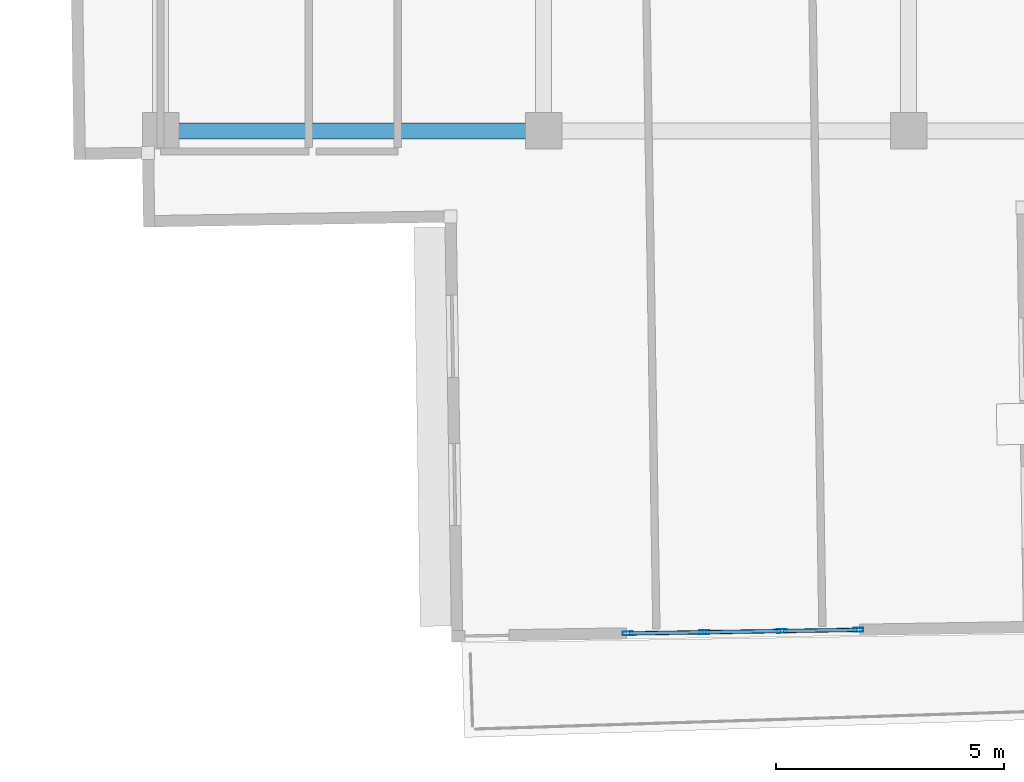
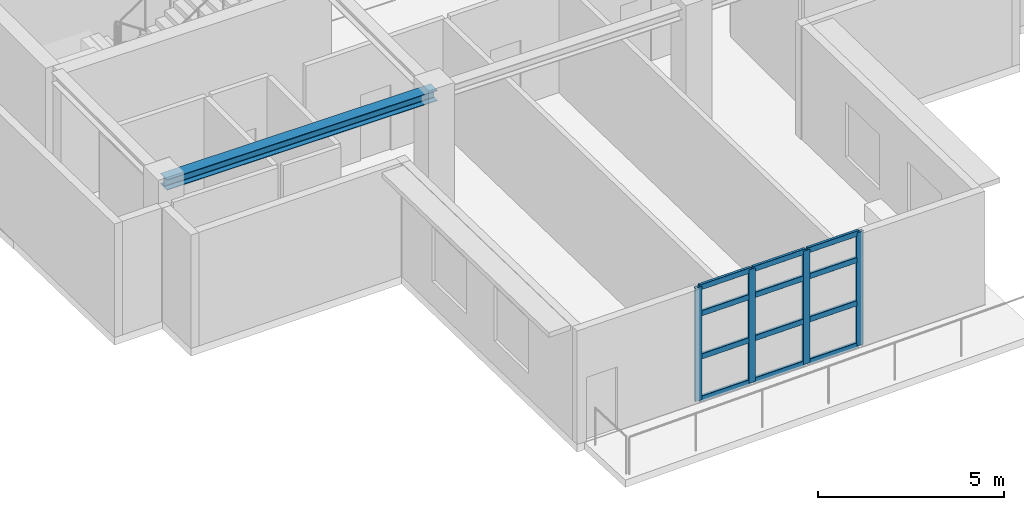
# One storey, part 2 of 18: 16 members, 1 beam, 1 element without a shape of its own.
"""IFC4 building model written with IfcOpenShell, lengths in metres."""

from ifc_helpers import new_model, si_unit, direction, frame, origin, origin_2d, place, context, subcontext, project, spatial, hollow_rectangle, i_section, extrude, material, layer, layer_set, material_profile, profile_set, type_object, element, aggregate, save


model = new_model("IFC4")

# Units and contexts
model_context = context("Model", 3, precision=1e-05, world=origin(), true_north=direction((0.0, 1.0)))
body_context = subcontext(model_context, "Body", "Model", "MODEL_VIEW")
ifc_project = project(units=[si_unit("LENGTHUNIT", "METRE"), si_unit("AREAUNIT", "SQUARE_METRE"), si_unit("VOLUMEUNIT", "CUBIC_METRE"), si_unit("PLANEANGLEUNIT", "RADIAN"), si_unit("MASSUNIT", "GRAM", prefix="KILO")], contexts=[model_context])

# Site, building, storey
site_placement = place(None, origin())
site = spatial("IfcSite", under=ifc_project, at=site_placement, CompositionType="ELEMENT")
building_placement = place(site_placement, origin())
building = spatial("IfcBuilding", under=site, at=building_placement, Name="Qingluan Cross Belvedere", CompositionType="ELEMENT")
storey_placement = place(building_placement, frame((0.0, 0.0, 303.89990234375)))
storey = spatial("IfcBuildingStorey", under=building, at=storey_placement, Name="L75", CompositionType="ELEMENT", Elevation=303.89990234375)

# Curtain wall, members
ifc_material_1 = material(Name="Thermally broken aluminium and Low-E glass", Category="aluminium")
ifc_layer = layer(ifc_material_1, 0.199951171875, Name="ObservationCW_SkyRestaurant")
ifc_layer_set = layer_set([ifc_layer], Name="Thermally broken aluminium and Low-E glass")
curtain_wall_type = type_object("IfcCurtainWallType", Name="ObservationCW_SkyRestaurant", PredefinedType="USERDEFINED", material=ifc_layer_set)
curtain_wall_placement = place(storey_placement, origin())
curtain_wall = element("IfcCurtainWall", 1, at=curtain_wall_placement, inside=storey, type_object=curtain_wall_type, Name="ObservationCW_SkyRestaurant run env:cw:L75:S", ObjectType="OBSERVATION GLAZING WALL", PredefinedType="USERDEFINED")
ifc_material_2 = material(Name="Aluminium alloy 6063-T6", Category="aluminium")
ifc_material_profile_1 = material_profile(ifc_material_2, hollow_rectangle(XDim=0.0849609375, YDim=0.219970703125, WallThickness=0.0048828125, InnerFilletRadius=0.0048828125, OuterFilletRadius=0.010009765625, at=origin_2d()), Name="CWM220x85x5")
ifc_profile_set_1 = profile_set([ifc_material_profile_1], Name="Aluminium alloy 6063-T6")
member_type_1 = type_object("IfcMemberType", Name="CWMullion_220", PredefinedType="MULLION", material=ifc_profile_set_1)
member_1_placement = place(storey_placement, frame((-2.1572265625, -23.61669921875, 0.0), z_axis=(0.0, 0.0, 1.0), x_axis=(-0.015695763417, 0.999876813918, 0.0)))
member_1 = element("IfcMember", 2, at=member_1_placement, type_object=member_type_1, Name="CW-C2 mullion 1", PredefinedType="MULLION", context=body_context, shape_type="SweptSolid", body=[
    extrude(hollow_rectangle(XDim=0.0849609375, YDim=0.219970703125, WallThickness=0.0048828125, InnerFilletRadius=0.0048828125, OuterFilletRadius=0.010009765625, at=origin_2d()), origin(), (0.0, 0.0, 1.0), 3.72998046875),
])
member_2_placement = place(storey_placement, frame((-0.482177734375, -23.59033203125, 0.0), z_axis=(0.0, 0.0, 1.0), x_axis=(-0.015695763417, 0.999876813918, 0.0)))
member_2 = element("IfcMember", 3, at=member_2_placement, type_object=member_type_1, Name="CW-C2 mullion 2", PredefinedType="MULLION", context=body_context, shape_type="SweptSolid", body=[
    extrude(hollow_rectangle(XDim=0.0849609375, YDim=0.219970703125, WallThickness=0.0048828125, InnerFilletRadius=0.0048828125, OuterFilletRadius=0.010009765625, at=origin_2d()), origin(), (0.0, 0.0, 1.0), 3.72998046875),
])
member_3_placement = place(storey_placement, frame((1.222900390625, -23.563720703125, 0.0), z_axis=(0.0, 0.0, 1.0), x_axis=(-0.015695763417, 0.999876813918, 0.0)))
member_3 = element("IfcMember", 4, at=member_3_placement, type_object=member_type_1, Name="CW-C2 mullion 3", PredefinedType="MULLION", context=body_context, shape_type="SweptSolid", body=[
    extrude(hollow_rectangle(XDim=0.0849609375, YDim=0.219970703125, WallThickness=0.0048828125, InnerFilletRadius=0.0048828125, OuterFilletRadius=0.010009765625, at=origin_2d()), origin(), (0.0, 0.0, 1.0), 3.72998046875),
])
member_4_placement = place(storey_placement, frame((2.898193359375, -23.537353515625, 0.0), z_axis=(0.0, 0.0, 1.0), x_axis=(-0.015695763417, 0.999876813918, 0.0)))
member_4 = element("IfcMember", 5, at=member_4_placement, type_object=member_type_1, Name="CW-C2 mullion 4", PredefinedType="MULLION", context=body_context, shape_type="SweptSolid", body=[
    extrude(hollow_rectangle(XDim=0.0849609375, YDim=0.219970703125, WallThickness=0.0048828125, InnerFilletRadius=0.0048828125, OuterFilletRadius=0.010009765625, at=origin_2d()), origin(), (0.0, 0.0, 1.0), 3.72998046875),
])
ifc_material_3 = material(Name="Aluminium alloy 6063-T6", Category="aluminium")
ifc_material_profile_2 = material_profile(ifc_material_3, hollow_rectangle(XDim=0.0849609375, YDim=0.179931640625, WallThickness=0.00390625, InnerFilletRadius=0.00390625, OuterFilletRadius=0.008056640625, at=origin_2d()), Name="CWT180x85x4")
ifc_profile_set_2 = profile_set([ifc_material_profile_2], Name="Aluminium alloy 6063-T6")
member_type_2 = type_object("IfcMemberType", Name="CWTransom_180", PredefinedType="USERDEFINED", material=ifc_profile_set_2)
member_5_placement = place(storey_placement, frame((-2.127197265625, -23.6162109375, 0.030029296875), z_axis=(0.999876434712, 0.015719901619, 0.0), x_axis=(-0.015719901619, 0.999876434712, 0.0)))
member_5 = element("IfcMember", 6, at=member_5_placement, type_object=member_type_2, Name="CW-C2 transom 1.1", ObjectType="TRANSOM", PredefinedType="USERDEFINED", context=body_context, shape_type="SweptSolid", body=[
    extrude(hollow_rectangle(XDim=0.0849609375, YDim=0.179931640625, WallThickness=0.00390625, InnerFilletRadius=0.00390625, OuterFilletRadius=0.008056640625, at=origin_2d()), origin(), (0.0, 0.0, 1.0), 1.615234375),
])
member_6_placement = place(storey_placement, frame((-2.127197265625, -23.6162109375, 1.4169921875), z_axis=(0.999876434712, 0.015719901619, 0.0), x_axis=(-0.015719901619, 0.999876434712, 0.0)))
member_6 = element("IfcMember", 7, at=member_6_placement, type_object=member_type_2, Name="CW-C2 transom 1.2", ObjectType="TRANSOM", PredefinedType="USERDEFINED", context=body_context, shape_type="SweptSolid", body=[
    extrude(hollow_rectangle(XDim=0.0849609375, YDim=0.179931640625, WallThickness=0.00390625, InnerFilletRadius=0.00390625, OuterFilletRadius=0.008056640625, at=origin_2d()), origin(), (0.0, 0.0, 1.0), 1.615234375),
])
member_7_placement = place(storey_placement, frame((-2.127197265625, -23.6162109375, 2.835205078125), z_axis=(0.999876434712, 0.015719901619, 0.0), x_axis=(-0.015719901619, 0.999876434712, 0.0)))
member_7 = element("IfcMember", 8, at=member_7_placement, type_object=member_type_2, Name="CW-C2 transom 1.3", ObjectType="TRANSOM", PredefinedType="USERDEFINED", context=body_context, shape_type="SweptSolid", body=[
    extrude(hollow_rectangle(XDim=0.0849609375, YDim=0.179931640625, WallThickness=0.00390625, InnerFilletRadius=0.00390625, OuterFilletRadius=0.008056640625, at=origin_2d()), origin(), (0.0, 0.0, 1.0), 1.615234375),
])
member_8_placement = place(storey_placement, frame((-2.127197265625, -23.6162109375, 3.7001953125), z_axis=(0.999876434712, 0.015719901619, 0.0), x_axis=(-0.015719901619, 0.999876434712, 0.0)))
member_8 = element("IfcMember", 9, at=member_8_placement, type_object=member_type_2, Name="CW-C2 transom 1.4", ObjectType="TRANSOM", PredefinedType="USERDEFINED", context=body_context, shape_type="SweptSolid", body=[
    extrude(hollow_rectangle(XDim=0.0849609375, YDim=0.179931640625, WallThickness=0.00390625, InnerFilletRadius=0.00390625, OuterFilletRadius=0.008056640625, at=origin_2d()), origin(), (0.0, 0.0, 1.0), 1.615234375),
])
member_9_placement = place(storey_placement, frame((-0.4521484375, -23.58984375, 0.030029296875), z_axis=(0.999878603127, 0.015581367368, 0.0), x_axis=(-0.015581367368, 0.999878603127, 0.0)))
member_9 = element("IfcMember", 10, at=member_9_placement, type_object=member_type_2, Name="CW-C2 transom 2.1", ObjectType="TRANSOM", PredefinedType="USERDEFINED", context=body_context, shape_type="SweptSolid", body=[
    extrude(hollow_rectangle(XDim=0.0849609375, YDim=0.179931640625, WallThickness=0.00390625, InnerFilletRadius=0.00390625, OuterFilletRadius=0.008056640625, at=origin_2d()), origin(), (0.0, 0.0, 1.0), 1.645263671875),
])
member_10_placement = place(storey_placement, frame((-0.4521484375, -23.58984375, 1.4169921875), z_axis=(0.999878603127, 0.015581367368, 0.0), x_axis=(-0.015581367368, 0.999878603127, 0.0)))
member_10 = element("IfcMember", 11, at=member_10_placement, type_object=member_type_2, Name="CW-C2 transom 2.2", ObjectType="TRANSOM", PredefinedType="USERDEFINED", context=body_context, shape_type="SweptSolid", body=[
    extrude(hollow_rectangle(XDim=0.0849609375, YDim=0.179931640625, WallThickness=0.00390625, InnerFilletRadius=0.00390625, OuterFilletRadius=0.008056640625, at=origin_2d()), origin(), (0.0, 0.0, 1.0), 1.645263671875),
])
member_11_placement = place(storey_placement, frame((-0.4521484375, -23.58984375, 2.835205078125), z_axis=(0.999878603127, 0.015581367368, 0.0), x_axis=(-0.015581367368, 0.999878603127, 0.0)))
member_11 = element("IfcMember", 12, at=member_11_placement, type_object=member_type_2, Name="CW-C2 transom 2.3", ObjectType="TRANSOM", PredefinedType="USERDEFINED", context=body_context, shape_type="SweptSolid", body=[
    extrude(hollow_rectangle(XDim=0.0849609375, YDim=0.179931640625, WallThickness=0.00390625, InnerFilletRadius=0.00390625, OuterFilletRadius=0.008056640625, at=origin_2d()), origin(), (0.0, 0.0, 1.0), 1.645263671875),
])
member_12_placement = place(storey_placement, frame((-0.4521484375, -23.58984375, 3.7001953125), z_axis=(0.999878603127, 0.015581367368, 0.0), x_axis=(-0.015581367368, 0.999878603127, 0.0)))
member_12 = element("IfcMember", 13, at=member_12_placement, type_object=member_type_2, Name="CW-C2 transom 2.4", ObjectType="TRANSOM", PredefinedType="USERDEFINED", context=body_context, shape_type="SweptSolid", body=[
    extrude(hollow_rectangle(XDim=0.0849609375, YDim=0.179931640625, WallThickness=0.00390625, InnerFilletRadius=0.00390625, OuterFilletRadius=0.008056640625, at=origin_2d()), origin(), (0.0, 0.0, 1.0), 1.645263671875),
])
member_13_placement = place(storey_placement, frame((1.2529296875, -23.563232421875, 0.030029296875), z_axis=(0.999876472056, 0.015717526163, 0.0), x_axis=(-0.015717526163, 0.999876472056, 0.0)))
member_13 = element("IfcMember", 14, at=member_13_placement, type_object=member_type_2, Name="CW-C2 transom 3.1", ObjectType="TRANSOM", PredefinedType="USERDEFINED", context=body_context, shape_type="SweptSolid", body=[
    extrude(hollow_rectangle(XDim=0.0849609375, YDim=0.179931640625, WallThickness=0.00390625, InnerFilletRadius=0.00390625, OuterFilletRadius=0.008056640625, at=origin_2d()), origin(), (0.0, 0.0, 1.0), 1.615478515625),
])
member_14_placement = place(storey_placement, frame((1.2529296875, -23.563232421875, 1.4169921875), z_axis=(0.999876472056, 0.015717526163, 0.0), x_axis=(-0.015717526163, 0.999876472056, 0.0)))
member_14 = element("IfcMember", 15, at=member_14_placement, type_object=member_type_2, Name="CW-C2 transom 3.2", ObjectType="TRANSOM", PredefinedType="USERDEFINED", context=body_context, shape_type="SweptSolid", body=[
    extrude(hollow_rectangle(XDim=0.0849609375, YDim=0.179931640625, WallThickness=0.00390625, InnerFilletRadius=0.00390625, OuterFilletRadius=0.008056640625, at=origin_2d()), origin(), (0.0, 0.0, 1.0), 1.615478515625),
])
member_15_placement = place(storey_placement, frame((1.2529296875, -23.563232421875, 2.835205078125), z_axis=(0.999876472056, 0.015717526163, 0.0), x_axis=(-0.015717526163, 0.999876472056, 0.0)))
member_15 = element("IfcMember", 16, at=member_15_placement, type_object=member_type_2, Name="CW-C2 transom 3.3", ObjectType="TRANSOM", PredefinedType="USERDEFINED", context=body_context, shape_type="SweptSolid", body=[
    extrude(hollow_rectangle(XDim=0.0849609375, YDim=0.179931640625, WallThickness=0.00390625, InnerFilletRadius=0.00390625, OuterFilletRadius=0.008056640625, at=origin_2d()), origin(), (0.0, 0.0, 1.0), 1.615478515625),
])
member_16_placement = place(storey_placement, frame((1.2529296875, -23.563232421875, 3.7001953125), z_axis=(0.999876472056, 0.015717526163, 0.0), x_axis=(-0.015717526163, 0.999876472056, 0.0)))
member_16 = element("IfcMember", 17, at=member_16_placement, type_object=member_type_2, Name="CW-C2 transom 3.4", ObjectType="TRANSOM", PredefinedType="USERDEFINED", context=body_context, shape_type="SweptSolid", body=[
    extrude(hollow_rectangle(XDim=0.0849609375, YDim=0.179931640625, WallThickness=0.00390625, InnerFilletRadius=0.00390625, OuterFilletRadius=0.008056640625, at=origin_2d()), origin(), (0.0, 0.0, 1.0), 1.615478515625),
])
aggregate(curtain_wall, [member_1, member_2, member_3, member_4, member_5, member_6, member_7, member_8, member_9, member_10, member_11, member_12, member_13, member_14, member_15, member_16])

# Beam
ifc_material_4 = material(Name="Steel Q420GJB", Category="steel")
ifc_material_profile_3 = material_profile(ifc_material_4, i_section(OverallWidth=0.35009765625, OverallDepth=0.35009765625, WebThickness=0.011962890625, FlangeThickness=0.01904296875, FilletRadius=0.02001953125, at=origin_2d()), Name="HW350x350x12x19")
ifc_profile_set_3 = profile_set([ifc_material_profile_3], Name="Steel Q420GJB")
beam_type = type_object("IfcBeamType", Name="Steel_Girder_HW350x350x12x19", PredefinedType="USERDEFINED", material=ifc_profile_set_3)
beam_placement = place(storey_placement, frame((-12.39990234375, -12.60009765625, 4.0751953125), z_axis=(1.0, 0.0, 0.0), x_axis=(0.0, 1.0, 0.0)))
element("IfcBeam", 18, at=beam_placement, inside=storey, type_object=beam_type, Name="Hub girder L75-HG-S1", ObjectType="GIRDER", PredefinedType="USERDEFINED", context=body_context, shape_type="SweptSolid", body=[
    extrude(i_section(OverallWidth=0.35009765625, OverallDepth=0.35009765625, WebThickness=0.011962890625, FlangeThickness=0.01904296875, FilletRadius=0.02001953125, at=origin_2d()), origin(), (0.0, 0.0, 1.0), 8.39990234375),
])

save(model, "model.ifc")
